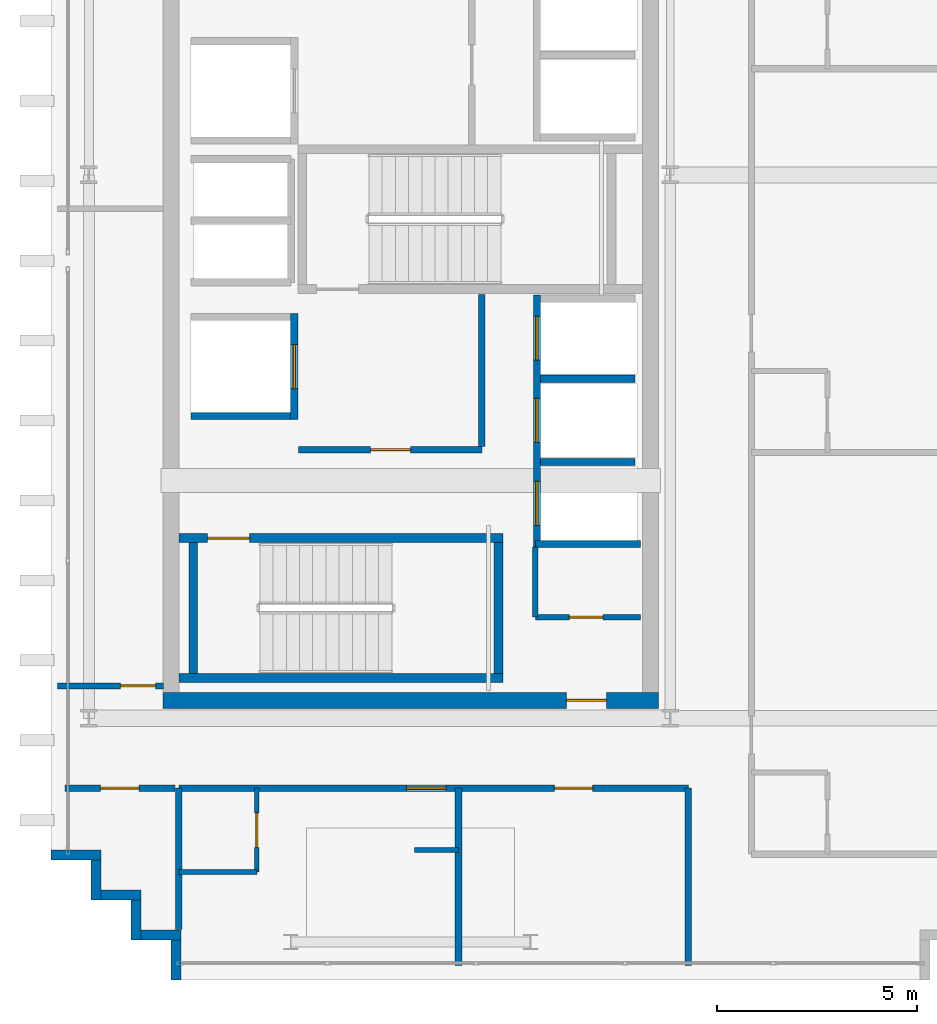
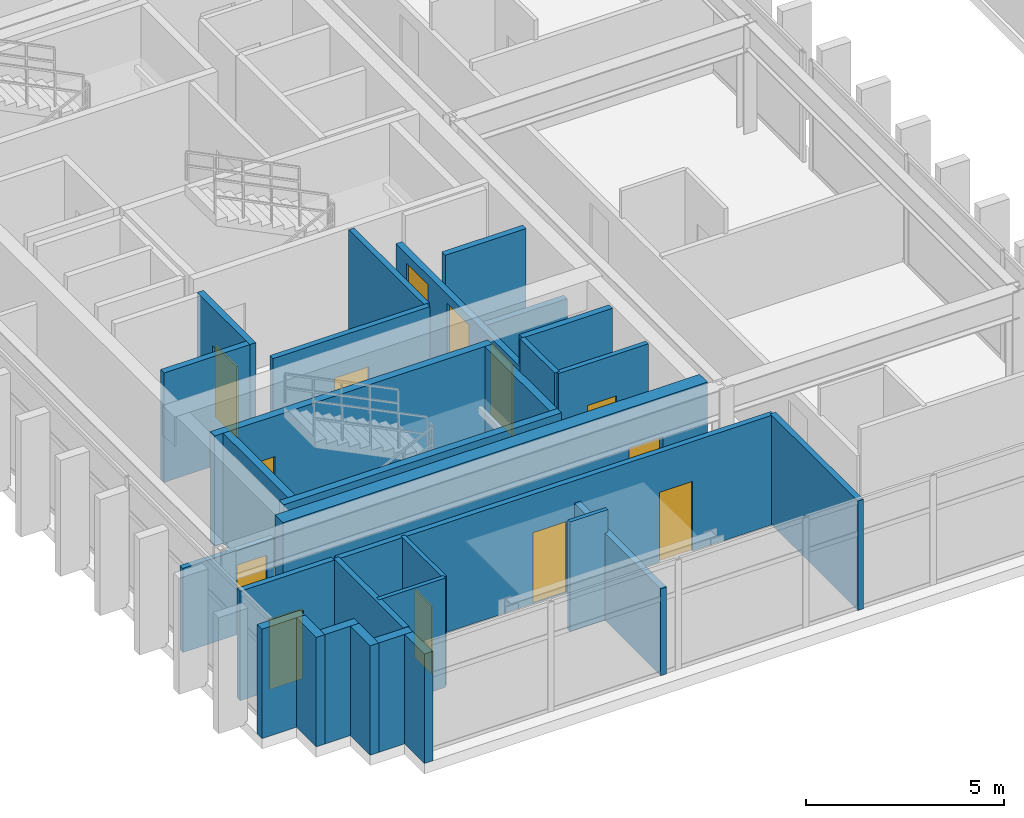
# One storey, part 14 of 17: 30 walls, 13 doors, 13 openings.
"""IFC4 building model written with IfcOpenShell, lengths in metres."""

from ifc_helpers import new_model, si_unit, direction, frame, frame_2d, origin, place, context, subcontext, project, spatial, rectangle, extrude, source, transform, mapped, material, layer, layer_set, type_object, element, fill, save


model = new_model("IFC4")

# Units and contexts
model_context = context("Model", 3, precision=1e-05, world=origin(), true_north=direction((0.0, 1.0)))
body_context = subcontext(model_context, "Body", "Model", "MODEL_VIEW")
ifc_project = project(units=[si_unit("LENGTHUNIT", "METRE"), si_unit("AREAUNIT", "SQUARE_METRE"), si_unit("VOLUMEUNIT", "CUBIC_METRE"), si_unit("PLANEANGLEUNIT", "RADIAN"), si_unit("MASSUNIT", "GRAM", prefix="KILO")], contexts=[model_context])

# Site, building, storey
site_placement = place(None, origin())
site = spatial("IfcSite", under=ifc_project, at=site_placement, CompositionType="ELEMENT")
building_placement = place(site_placement, origin())
building = spatial("IfcBuilding", under=site, at=building_placement, Name="Ocotamira Hotel", CompositionType="ELEMENT")
storey_placement = place(building_placement, frame((0.0, 0.0, 272.39990234375)))
storey = spatial("IfcBuildingStorey", under=building, at=storey_placement, Name="L69", CompositionType="ELEMENT", Elevation=272.39990234375)

# Wall, opening, door
ifc_material_1 = material(Name="Concrete C50/60", Category="concrete")
ifc_layer_1 = layer(ifc_material_1, 0.39990234375)
ifc_layer_set_1 = layer_set([ifc_layer_1], Name="Concrete C50/60")
wall_type_1 = type_object("IfcWallType", Name="WL-CORE-400", PredefinedType="SHEAR", material=ifc_layer_set_1)
wall_1_placement = place(storey_placement, frame((10.800048828125, 15.0, 0.0), z_axis=(0.0, 0.0, 1.0), x_axis=(1.0, 0.0, 0.0)))
wall_1 = element("IfcWall", 1, at=wall_1_placement, inside=storey, type_object=wall_type_1, Name="L69 Shear Core Wall WCORE-S", PredefinedType="SHEAR", context=body_context, shape_type="SweptSolid", body=[
    extrude(rectangle(XDim=12.39990234375, YDim=0.39990234375, at=frame_2d((6.199951171875, 0.0))), origin(), (0.0, 0.0, 1.0), 3.380126953125),
])
opening_1_placement = place(wall_1_placement, frame((10.10009765625, 0.0, 0.0)))
opening_1 = element("IfcOpeningElement", 2, at=opening_1_placement, cuts=wall_1, Name="Opening D-FR2", PredefinedType="OPENING", context=body_context, shape_type="SweptSolid", body=[
    extrude(rectangle(XDim=1.0, YDim=2.14990234375, at=frame_2d((0.5, 1.074951171875))), frame((0.0, 0.2099609375, 0.0), z_axis=(0.0, -1.0, 0.0), x_axis=(1.0, 0.0, 0.0)), (0.0, 0.0, 1.0), 0.419921875),
])
ifc_material_2 = material(Name="Fire-rated acoustic timber-veneer door", Category="wood")
door_type_1 = type_object("IfcDoorType", Name="DR-FIRE-1000", OperationType="NOTDEFINED", PredefinedType="DOOR", material=ifc_material_2)
shared_shape_1 = source(origin(), body_context, "Body", "SweptSolid", [
    extrude(rectangle(XDim=1.0, YDim=2.14990234375, at=frame_2d((0.5, 1.074951171875))), frame((0.0, 0.02490234375, 0.0), z_axis=(0.0, -1.0, 0.0), x_axis=(1.0, 0.0, 0.0)), (0.0, 0.0, 1.0), 0.050048828125),
])
door_1_placement = place(opening_1_placement, origin())
door_1 = element("IfcDoor", 3, at=door_1_placement, inside=storey, type_object=door_type_1, Name="L69 Door ID-L69-WLOB-S-D [ID-L69-WLOB-S-D]", OperationType="SINGLE_SWING_LEFT", OverallHeight=2.14990234375, OverallWidth=1.0, PredefinedType="DOOR", context=body_context, shape_type="MappedRepresentation", body=[
    mapped(shared_shape_1, transform((0.0, 0.0, 0.0), scale=1.0)),
])
fill(opening_1, door_1)

# Walls
ifc_material_3 = material(Name="Precast concrete C45/55", Category="concrete")
ifc_layer_2 = layer(ifc_material_3, 0.25)
ifc_layer_set_2 = layer_set([ifc_layer_2], Name="Precast concrete C45/55")
wall_type_2 = type_object("IfcWallType", Name="WL-EXT-SER-250", PredefinedType="SOLIDWALL", material=ifc_layer_set_2)
wall_2_placement = place(storey_placement, frame((8.0, 11.125, 0.0), z_axis=(0.0, 0.0, 1.0), x_axis=(1.0, 0.0, 0.0)))
element("IfcWall", 4, at=wall_2_placement, inside=storey, type_object=wall_type_2, Name="L69 Serrated Corner Wall 19", PredefinedType="SOLIDWALL", context=body_context, shape_type="SweptSolid", body=[
    extrude(rectangle(XDim=1.25, YDim=0.25, at=frame_2d((0.625, 0.0))), origin(), (0.0, 0.0, 1.0), 3.380126953125),
])
for number, where, z_axis, x_axis, name in (
    (5, (9.125, 11.0, 0.0), (0.0, 0.0, 1.0), (0.0, -1.0, 0.0), "L69 Serrated Corner Wall 20"),
    (6, (9.25, 10.125, 0.0), (0.0, 0.0, 1.0), (1.0, 0.0, 0.0), "L69 Serrated Corner Wall 21"),
    (7, (10.125, 10.0, 0.0), (0.0, 0.0, 1.0), (0.0, -1.0, 0.0), "L69 Serrated Corner Wall 22"),
    (8, (10.25, 9.125, 0.0), (0.0, 0.0, 1.0), (1.0, 0.0, 0.0), "L69 Serrated Corner Wall 23"),
    (9, (11.125, 9.0, 0.0), (0.0, 0.0, 1.0), (0.0, -1.0, 0.0), "L69 Serrated Corner Wall 24"),
):
    element("IfcWall", number, at=place(storey_placement, frame(where, z_axis=z_axis, x_axis=x_axis)), inside=storey, type_object=wall_type_2, Name=name, PredefinedType="SOLIDWALL", context=body_context, shape_type="SweptSolid", body=[
        extrude(rectangle(XDim=1.0, YDim=0.25, at=frame_2d((0.5, 0.0))), origin(), (0.0, 0.0, 1.0), 3.380126953125),
    ])

# Wall, opening, door
ifc_material_4 = material(Name="Acoustic double-layer fire gypsum board partition", Category="gypsum")
ifc_layer_3 = layer(ifc_material_4, 0.159912109375)
ifc_layer_set_3 = layer_set([ifc_layer_3], Name="Acoustic double-layer fire gypsum board partition")
wall_type_3 = type_object("IfcWallType", Name="WL-FIRE-160", PredefinedType="PARTITIONING", material=ifc_layer_set_3)
wall_3_placement = place(storey_placement, frame((14.199951171875, 21.27001953125, 0.0), z_axis=(0.0, 0.0, 1.0), x_axis=(1.0, 0.0, 0.0)))
wall_3 = element("IfcWall", 10, at=wall_3_placement, inside=storey, type_object=wall_type_3, Name="L69 Interior Wall PW-L69-FSAE1-S", PredefinedType="PARTITIONING", context=body_context, shape_type="SweptSolid", body=[
    extrude(rectangle(XDim=4.580078125, YDim=0.159912109375, at=frame_2d((2.2900390625, 0.0))), origin(), (0.0, 0.0, 1.0), 3.380126953125),
])
opening_2_placement = place(wall_3_placement, frame((1.800048828125, 0.0, 0.0)))
opening_2 = element("IfcOpeningElement", 11, at=opening_2_placement, cuts=wall_3, Name="Opening D-FR2", PredefinedType="OPENING", context=body_context, shape_type="SweptSolid", body=[
    extrude(rectangle(XDim=1.0, YDim=2.14990234375, at=frame_2d((0.5, 1.074951171875))), frame((0.0, 0.08984375, 0.0), z_axis=(0.0, -1.0, 0.0), x_axis=(1.0, 0.0, 0.0)), (0.0, 0.0, 1.0), 0.179931640625),
])
door_2_placement = place(opening_2_placement, origin())
door_2 = element("IfcDoor", 12, at=door_2_placement, inside=storey, type_object=door_type_1, Name="L69 Door ID-L69-FSAE1-D [ID-L69-FSAE1-D]", OperationType="SINGLE_SWING_LEFT", OverallHeight=2.14990234375, OverallWidth=1.0, PredefinedType="DOOR", context=body_context, shape_type="MappedRepresentation", body=[
    mapped(shared_shape_1, transform((0.0, 0.0, 0.0), scale=1.0)),
])
fill(opening_2, door_2)

# Wall
wall_4_placement = place(storey_placement, frame((18.780029296875, 21.35009765625, 0.0), z_axis=(0.0, 0.0, 1.0), x_axis=(0.0, 1.0, 0.0)))
element("IfcWall", 13, at=wall_4_placement, inside=storey, type_object=wall_type_3, Name="L69 Interior Wall PW-L69-FSAE1-E", PredefinedType="PARTITIONING", context=body_context, shape_type="SweptSolid", body=[
    extrude(rectangle(XDim=3.809814453125, YDim=0.159912109375, at=frame_2d((1.90478515625, 0.0))), origin(), (0.0, 0.0, 1.0), 3.380126953125),
])

# Wall, openings, doors
wall_5_placement = place(storey_placement, frame((11.199951171875, 12.800048828125, 0.0), z_axis=(0.0, 0.0, 1.0), x_axis=(1.0, 0.0, 0.0)))
wall_5 = element("IfcWall", 14, at=wall_5_placement, inside=storey, type_object=wall_type_3, Name="L69 Interior Wall PW-L69-WP0S-CORRW", PredefinedType="PARTITIONING", context=body_context, shape_type="SweptSolid", body=[
    extrude(rectangle(XDim=12.75, YDim=0.159912109375, at=frame_2d((6.375, 0.0))), origin(), (0.0, 0.0, 1.0), 3.380126953125),
])
opening_3_placement = place(wall_5_placement, frame((5.699951171875, 0.0, 0.0)))
opening_3 = element("IfcOpeningElement", 15, at=opening_3_placement, cuts=wall_5, Name="Opening D-GR2", PredefinedType="OPENING", context=body_context, shape_type="SweptSolid", body=[
    extrude(rectangle(XDim=0.97998046875, YDim=2.199951171875, at=frame_2d((0.489990234375, 1.10009765625))), frame((0.0, 0.08984375, 0.0), z_axis=(0.0, -1.0, 0.0), x_axis=(1.0, 0.0, 0.0)), (0.0, 0.0, 1.0), 0.179931640625),
])
opening_4_placement = place(wall_5_placement, frame((9.39501953125, 0.0, 0.0)))
opening_4 = element("IfcOpeningElement", 16, at=opening_4_placement, cuts=wall_5, Name="Opening D-SV4", PredefinedType="OPENING", context=body_context, shape_type="SweptSolid", body=[
    extrude(rectangle(XDim=0.9599609375, YDim=2.14990234375, at=frame_2d((0.47998046875, 1.074951171875))), frame((0.0, 0.08984375, 0.0), z_axis=(0.0, -1.0, 0.0), x_axis=(1.0, 0.0, 0.0)), (0.0, 0.0, 1.0), 0.179931640625),
])
ifc_material_5 = material(Name="Fire-rated accessible walnut salon door", Category="wood")
door_type_2 = type_object("IfcDoorType", Name="DR-SERV-960", OperationType="NOTDEFINED", PredefinedType="DOOR", material=ifc_material_5)
shared_shape_2 = source(origin(), body_context, "Body", "SweptSolid", [
    extrude(rectangle(XDim=0.9599609375, YDim=2.14990234375, at=frame_2d((0.47998046875, 1.074951171875))), frame((0.0, 0.02490234375, 0.0), z_axis=(0.0, -1.0, 0.0), x_axis=(1.0, 0.0, 0.0)), (0.0, 0.0, 1.0), 0.050048828125),
])
door_3_placement = place(opening_4_placement, origin())
door_3 = element("IfcDoor", 17, at=door_3_placement, inside=storey, type_object=door_type_2, Name="L69 Door ID-L69-WP0S-AMD2 [ID-L69-WP0S-AMD2]", OperationType="SINGLE_SWING_RIGHT", OverallHeight=2.14990234375, OverallWidth=0.9599609375, PredefinedType="DOOR", context=body_context, shape_type="MappedRepresentation", body=[
    mapped(shared_shape_2, transform((0.0, 0.0, 0.0), scale=1.0)),
])
fill(opening_4, door_3)
ifc_material_6 = material(Name="Solid-core walnut grand-suite entrance fire door", Category="wood")
door_type_3 = type_object("IfcDoorType", Name="DR-GUEST-980", OperationType="NOTDEFINED", PredefinedType="DOOR", material=ifc_material_6)
shared_shape_3 = source(origin(), body_context, "Body", "SweptSolid", [
    extrude(rectangle(XDim=0.97998046875, YDim=2.199951171875, at=frame_2d((0.489990234375, 1.10009765625))), frame((0.0, 0.02490234375, 0.0), z_axis=(0.0, -1.0, 0.0), x_axis=(1.0, 0.0, 0.0)), (0.0, 0.0, 1.0), 0.050048828125),
])
door_4_placement = place(opening_3_placement, origin())
door_4 = element("IfcDoor", 18, at=door_4_placement, inside=storey, type_object=door_type_3, Name="L69 Door ID-L69-WP0S-RMD1 [ID-L69-WP0S-RMD1]", OperationType="SINGLE_SWING_LEFT", OverallHeight=2.199951171875, OverallWidth=0.97998046875, PredefinedType="DOOR", context=body_context, shape_type="MappedRepresentation", body=[
    mapped(shared_shape_3, transform((0.0, 0.0, 0.0), scale=1.0)),
])
fill(opening_3, door_4)

# Wall, opening, door
wall_6_placement = place(storey_placement, frame((8.35009765625, 12.800048828125, 0.0), z_axis=(0.0, 0.0, 1.0), x_axis=(1.0, 0.0, 0.0)))
wall_6 = element("IfcWall", 19, at=wall_6_placement, inside=storey, type_object=wall_type_3, Name="L69 Interior Wall PW-L69-WPCSW0-CW", PredefinedType="PARTITIONING", context=body_context, shape_type="SweptSolid", body=[
    extrude(rectangle(XDim=2.75, YDim=0.159912109375, at=frame_2d((1.375, 0.0))), origin(), (0.0, 0.0, 1.0), 3.380126953125),
])
opening_5_placement = place(wall_6_placement, frame((0.89501953125, 0.0, 0.0)))
opening_5 = element("IfcOpeningElement", 20, at=opening_5_placement, cuts=wall_6, Name="Opening D-SV4", PredefinedType="OPENING", context=body_context, shape_type="SweptSolid", body=[
    extrude(rectangle(XDim=0.9599609375, YDim=2.14990234375, at=frame_2d((0.47998046875, 1.074951171875))), frame((0.0, 0.08984375, 0.0), z_axis=(0.0, -1.0, 0.0), x_axis=(1.0, 0.0, 0.0)), (0.0, 0.0, 1.0), 0.179931640625),
])
door_5_placement = place(opening_5_placement, origin())
door_5 = element("IfcDoor", 21, at=door_5_placement, inside=storey, type_object=door_type_2, Name="L69 Door ID-L69-WPCSW0-CD [ID-L69-WPCSW0-CD]", OperationType="SINGLE_SWING_LEFT", OverallHeight=2.14990234375, OverallWidth=0.9599609375, PredefinedType="DOOR", context=body_context, shape_type="MappedRepresentation", body=[
    mapped(shared_shape_2, transform((0.0, 0.0, 0.0), scale=1.0)),
])
fill(opening_5, door_5)

ifc_material_7 = material(Name="Moisture-resistant en-suite tile and gypsum partition", Category="gypsum")
ifc_layer_4 = layer(ifc_material_7, 0.1201171875)
ifc_layer_set_4 = layer_set([ifc_layer_4], Name="Moisture-resistant en-suite tile and gypsum partition")
wall_type_4 = type_object("IfcWallType", Name="WL-PART-120", PredefinedType="PARTITIONING", material=ifc_layer_set_4)
wall_7_placement = place(storey_placement, frame((13.14990234375, 10.699951171875, 0.0), z_axis=(0.0, 0.0, 1.0), x_axis=(0.0, 1.0, 0.0)))
wall_7 = element("IfcWall", 22, at=wall_7_placement, inside=storey, type_object=wall_type_4, Name="L69 Interior Wall PW-L69-WP0S-BAE1", PredefinedType="PARTITIONING", context=body_context, shape_type="SweptSolid", body=[
    extrude(rectangle(XDim=2.10009765625, YDim=0.1201171875, at=frame_2d((1.050048828125, 0.0))), origin(), (0.0, 0.0, 1.0), 3.380126953125),
])
opening_6_placement = place(wall_7_placement, frame((0.6201171875, 0.0, 0.0)))
opening_6 = element("IfcOpeningElement", 23, at=opening_6_placement, cuts=wall_7, Name="Opening D-BA1", PredefinedType="OPENING", context=body_context, shape_type="SweptSolid", body=[
    extrude(rectangle(XDim=0.860107421875, YDim=2.10009765625, at=frame_2d((0.43017578125, 1.050048828125))), frame((0.0, 0.070068359375, 0.0), z_axis=(0.0, -1.0, 0.0), x_axis=(1.0, 0.0, 0.0)), (0.0, 0.0, 1.0), 0.14013671875),
])
ifc_material_8 = material(Name="Moisture-sealed en-suite timber door", Category="wood")
door_type_4 = type_object("IfcDoorType", Name="DR-BATH-860", OperationType="NOTDEFINED", PredefinedType="DOOR", material=ifc_material_8)
shared_shape_4 = source(origin(), body_context, "Body", "SweptSolid", [
    extrude(rectangle(XDim=0.860107421875, YDim=2.10009765625, at=frame_2d((0.43017578125, 1.050048828125))), frame((0.0, 0.02490234375, 0.0), z_axis=(0.0, -1.0, 0.0), x_axis=(1.0, 0.0, 0.0)), (0.0, 0.0, 1.0), 0.050048828125),
])
door_6_placement = place(opening_6_placement, origin())
door_6 = element("IfcDoor", 24, at=door_6_placement, inside=storey, type_object=door_type_4, Name="L69 Door ID-L69-WP0S-BAD1 [ID-L69-WP0S-BAD1]", OperationType="SINGLE_SWING_RIGHT", OverallHeight=2.10009765625, OverallWidth=0.860107421875, PredefinedType="DOOR", context=body_context, shape_type="MappedRepresentation", body=[
    mapped(shared_shape_4, transform((0.0, 0.0, 0.0), scale=1.0)),
])
fill(opening_6, door_6)

# Walls
wall_8_placement = place(storey_placement, frame((11.199951171875, 10.699951171875, 0.0), z_axis=(0.0, 0.0, 1.0), x_axis=(1.0, 0.0, 0.0)))
element("IfcWall", 25, at=wall_8_placement, inside=storey, type_object=wall_type_4, Name="L69 Interior Wall PW-L69-WP0S-BAS1", PredefinedType="PARTITIONING", context=body_context, shape_type="SweptSolid", body=[
    extrude(rectangle(XDim=1.949951171875, YDim=0.1201171875, at=frame_2d((0.97509765625, 0.0))), origin(), (0.0, 0.0, 1.0), 3.380126953125),
])
wall_9_placement = place(storey_placement, frame((17.10009765625, 11.25, 0.0), z_axis=(0.0, 0.0, 1.0), x_axis=(1.0, 0.0, 0.0)))
element("IfcWall", 26, at=wall_9_placement, inside=storey, type_object=wall_type_4, Name="L69 Interior Wall PW-L69-WP0S-DRN1", PredefinedType="PARTITIONING", context=body_context, shape_type="SweptSolid", body=[
    extrude(rectangle(XDim=1.099853515625, YDim=0.1201171875, at=frame_2d((0.5498046875, 0.0))), origin(), (0.0, 0.0, 1.0), 3.380126953125),
])
ifc_material_9 = material(Name="Acoustic hospitality gypsum board partition", Category="gypsum")
ifc_layer_5 = layer(ifc_material_9, 0.14208984375)
ifc_layer_set_5 = layer_set([ifc_layer_5], Name="Acoustic hospitality gypsum board partition")
wall_type_5 = type_object("IfcWallType", Name="WL-PART-142", PredefinedType="PARTITIONING", material=ifc_layer_set_5)
wall_10_placement = place(storey_placement, frame((20.1201171875, 17.080078125, 0.0), z_axis=(0.0, 0.0, 1.0), x_axis=(0.0, 1.0, 0.0)))
element("IfcWall", 27, at=wall_10_placement, inside=storey, type_object=wall_type_5, Name="L69 Interior Wall PW-L69-WC-SE-W2", PredefinedType="PARTITIONING", context=body_context, shape_type="SweptSolid", body=[
    extrude(rectangle(XDim=1.760009765625, YDim=0.14208984375, at=frame_2d((0.8798828125, 0.0))), origin(), (0.0, 0.0, 1.0), 3.380126953125),
])

# Wall, opening, door
wall_11_placement = place(storey_placement, frame((20.1201171875, 17.080078125, 0.0), z_axis=(0.0, 0.0, 1.0), x_axis=(1.0, 0.0, 0.0)))
wall_11 = element("IfcWall", 28, at=wall_11_placement, inside=storey, type_object=wall_type_5, Name="L69 Interior Wall PW-L69-WC-SE-S2", PredefinedType="PARTITIONING", context=body_context, shape_type="SweptSolid", body=[
    extrude(rectangle(XDim=2.6298828125, YDim=0.14208984375, at=frame_2d((1.31494140625, 0.0))), origin(), (0.0, 0.0, 1.0), 3.380126953125),
])
opening_7_placement = place(wall_11_placement, frame((0.85009765625, 0.0, 0.0)))
opening_7 = element("IfcOpeningElement", 29, at=opening_7_placement, cuts=wall_11, Name="Opening D-SV1", PredefinedType="OPENING", context=body_context, shape_type="SweptSolid", body=[
    extrude(rectangle(XDim=0.840087890625, YDim=2.10009765625, at=frame_2d((0.419921875, 1.050048828125))), frame((0.0, 0.0810546875, 0.0), z_axis=(0.0, -1.0, 0.0), x_axis=(1.0, 0.0, 0.0)), (0.0, 0.0, 1.0), 0.162109375),
])
ifc_material_10 = material(Name="Fire-rated painted steel service door", Category="steel")
door_type_5 = type_object("IfcDoorType", Name="DR-SERV-840", OperationType="NOTDEFINED", PredefinedType="DOOR", material=ifc_material_10)
shared_shape_5 = source(origin(), body_context, "Body", "SweptSolid", [
    extrude(rectangle(XDim=0.840087890625, YDim=2.10009765625, at=frame_2d((0.419921875, 1.050048828125))), frame((0.0, 0.02490234375, 0.0), z_axis=(0.0, -1.0, 0.0), x_axis=(1.0, 0.0, 0.0)), (0.0, 0.0, 1.0), 0.050048828125),
])
door_7_placement = place(opening_7_placement, origin())
door_7 = element("IfcDoor", 30, at=door_7_placement, inside=storey, type_object=door_type_5, Name="L69 Door ID-L69-WC-SE-D2 [ID-L69-WC-SE-D2]", OperationType="SINGLE_SWING_LEFT", OverallHeight=2.10009765625, OverallWidth=0.840087890625, PredefinedType="DOOR", context=body_context, shape_type="MappedRepresentation", body=[
    mapped(shared_shape_5, transform((0.0, 0.0, 0.0), scale=1.0)),
])
fill(opening_7, door_7)

ifc_layer_6 = layer(ifc_material_9, 0.14990234375)
ifc_layer_set_6 = layer_set([ifc_layer_6], Name="Acoustic hospitality gypsum board partition")
wall_type_6 = type_object("IfcWallType", Name="WL-PART-150", PredefinedType="PARTITIONING", material=ifc_layer_set_6)
wall_12_placement = place(storey_placement, frame((8.159912109375, 15.360107421875, 0.0), z_axis=(0.0, 0.0, 1.0), x_axis=(1.0, 0.0, 0.0)))
wall_12 = element("IfcWall", 31, at=wall_12_placement, inside=storey, type_object=wall_type_6, Name="L69 Interior Wall PW-L69-WP0W-WS", PredefinedType="PARTITIONING", context=body_context, shape_type="SweptSolid", body=[
    extrude(rectangle(XDim=2.66015625, YDim=0.14990234375, at=frame_2d((1.330078125, 0.0))), origin(), (0.0, 0.0, 1.0), 2.60107421875),
])
opening_8_placement = place(wall_12_placement, frame((1.580078125, 0.0, 0.0)))
opening_8 = element("IfcOpeningElement", 32, at=opening_8_placement, cuts=wall_12, Name="Opening D-SV2", PredefinedType="OPENING", context=body_context, shape_type="SweptSolid", body=[
    extrude(rectangle(XDim=0.8798828125, YDim=2.14990234375, at=frame_2d((0.43994140625, 1.074951171875))), frame((0.0, 0.0849609375, 0.0), z_axis=(0.0, -1.0, 0.0), x_axis=(1.0, 0.0, 0.0)), (0.0, 0.0, 1.0), 0.169921875),
])
door_type_6 = type_object("IfcDoorType", Name="DR-SERV-880", OperationType="NOTDEFINED", PredefinedType="DOOR", material=ifc_material_10)
shared_shape_6 = source(origin(), body_context, "Body", "SweptSolid", [
    extrude(rectangle(XDim=0.8798828125, YDim=2.14990234375, at=frame_2d((0.43994140625, 1.074951171875))), frame((0.0, 0.02490234375, 0.0), z_axis=(0.0, -1.0, 0.0), x_axis=(1.0, 0.0, 0.0)), (0.0, 0.0, 1.0), 0.050048828125),
])
door_8_placement = place(opening_8_placement, origin())
door_8 = element("IfcDoor", 33, at=door_8_placement, inside=storey, type_object=door_type_6, Name="L69 Door ID-L69-WP0W-DS [ID-L69-WP0W-DS]", OperationType="SINGLE_SWING_LEFT", OverallHeight=2.14990234375, OverallWidth=0.8798828125, PredefinedType="DOOR", context=body_context, shape_type="MappedRepresentation", body=[
    mapped(shared_shape_6, transform((0.0, 0.0, 0.0), scale=1.0)),
])
fill(opening_8, door_8)

# Walls
ifc_material_11 = material(Name="Acoustic double-stud hospitality gypsum partition", Category="gypsum")
ifc_layer_7 = layer(ifc_material_11, 0.159912109375)
ifc_layer_set_7 = layer_set([ifc_layer_7], Name="Acoustic double-stud hospitality gypsum partition")
wall_type_7 = type_object("IfcWallType", Name="WL-PART-160", PredefinedType="PARTITIONING", material=ifc_layer_set_7)
wall_13_placement = place(storey_placement, frame((11.199951171875, 9.260009765625, 0.0), z_axis=(0.0, 0.0, 1.0), x_axis=(0.0, 1.0, 0.0)))
element("IfcWall", 34, at=wall_13_placement, inside=storey, type_object=wall_type_7, Name="L69 Interior Wall PW-L69-WP0S-PW0", PredefinedType="PARTITIONING", context=body_context, shape_type="SweptSolid", body=[
    extrude(rectangle(XDim=3.5400390625, YDim=0.159912109375, at=frame_2d((1.77001953125, 0.0))), origin(), (0.0, 0.0, 1.0), 3.380126953125),
])
wall_14_placement = place(storey_placement, frame((23.949951171875, 8.360107421875, 0.0), z_axis=(0.0, 0.0, 1.0), x_axis=(0.0, 1.0, 0.0)))
element("IfcWall", 35, at=wall_14_placement, inside=storey, type_object=wall_type_7, Name="L69 Interior Wall PW-L69-WP0S-PWEND", PredefinedType="PARTITIONING", context=body_context, shape_type="SweptSolid", body=[
    extrude(rectangle(XDim=4.43994140625, YDim=0.159912109375, at=frame_2d((2.219970703125, 0.0))), origin(), (0.0, 0.0, 1.0), 3.380126953125),
])
ifc_material_12 = material(Name="Double-stud suite party gypsum partition", Category="gypsum")
ifc_layer_8 = layer(ifc_material_12, 0.175048828125)
ifc_layer_set_8 = layer_set([ifc_layer_8], Name="Double-stud suite party gypsum partition")
wall_type_8 = type_object("IfcWallType", Name="WL-PART-175", PredefinedType="PARTITIONING", material=ifc_layer_set_8)
wall_15_placement = place(storey_placement, frame((18.199951171875, 8.360107421875, 0.0), z_axis=(0.0, 0.0, 1.0), x_axis=(0.0, 1.0, 0.0)))
element("IfcWall", 36, at=wall_15_placement, inside=storey, type_object=wall_type_8, Name="L69 Interior Wall PW-L69-WP0S-PW1", PredefinedType="PARTITIONING", context=body_context, shape_type="SweptSolid", body=[
    extrude(rectangle(XDim=4.43994140625, YDim=0.175048828125, at=frame_2d((2.219970703125, 0.0))), origin(), (0.0, 0.0, 1.0), 2.68701171875),
])

# Wall, openings, doors
ifc_material_13 = material(Name="Fire-rated gypsum shaftliner board assembly", Category="gypsum")
ifc_layer_9 = layer(ifc_material_13, 0.179931640625)
ifc_layer_set_9 = layer_set([ifc_layer_9], Name="Fire-rated gypsum shaftliner board assembly")
wall_type_9 = type_object("IfcWallType", Name="WL-SHAFT-180", PredefinedType="SOLIDWALL", material=ifc_layer_set_9)
wall_16_placement = place(storey_placement, frame((20.159912109375, 18.820068359375, 0.0), z_axis=(0.0, 0.0, 1.0), x_axis=(0.0, 1.0, 0.0)))
wall_16 = element("IfcWall", 37, at=wall_16_placement, inside=storey, type_object=wall_type_9, Name="L69 Interior Wall PW-L69-LFW-BANK-high-F", PredefinedType="SOLIDWALL", context=body_context, shape_type="SweptSolid", body=[
    extrude(rectangle(XDim=6.31982421875, YDim=0.179931640625, at=frame_2d((3.159912109375, 0.0))), origin(), (0.0, 0.0, 1.0), 2.47998046875),
])
opening_9_placement = place(wall_16_placement, frame((0.554931640625, 0.0, 0.0)))
opening_9 = element("IfcOpeningElement", 38, at=opening_9_placement, cuts=wall_16, Name="Opening LD-LF-P7", PredefinedType="OPENING", context=body_context, shape_type="SweptSolid", body=[
    extrude(rectangle(XDim=1.10009765625, YDim=2.199951171875, at=frame_2d((0.550048828125, 1.10009765625))), frame((0.0, 0.10009765625, 0.0), z_axis=(0.0, -1.0, 0.0), x_axis=(1.0, 0.0, 0.0)), (0.0, 0.0, 1.0), 0.199951171875),
])
opening_10_placement = place(wall_16_placement, frame((2.635009765625, 0.0, 0.0)))
opening_10 = element("IfcOpeningElement", 39, at=opening_10_placement, cuts=wall_16, Name="Opening LD-LF-P8", PredefinedType="OPENING", context=body_context, shape_type="SweptSolid", body=[
    extrude(rectangle(XDim=1.10009765625, YDim=2.199951171875, at=frame_2d((0.550048828125, 1.10009765625))), frame((0.0, 0.10009765625, 0.0), z_axis=(0.0, -1.0, 0.0), x_axis=(1.0, 0.0, 0.0)), (0.0, 0.0, 1.0), 0.199951171875),
])
opening_11_placement = place(wall_16_placement, frame((4.68994140625, 0.0, 0.0)))
opening_11 = element("IfcOpeningElement", 40, at=opening_11_placement, cuts=wall_16, Name="Opening LD-LF-P9", PredefinedType="OPENING", context=body_context, shape_type="SweptSolid", body=[
    extrude(rectangle(XDim=1.10009765625, YDim=2.199951171875, at=frame_2d((0.550048828125, 1.10009765625))), frame((0.0, 0.10009765625, 0.0), z_axis=(0.0, -1.0, 0.0), x_axis=(1.0, 0.0, 0.0)), (0.0, 0.0, 1.0), 0.199951171875),
])
ifc_material_14 = material(Name="Brushed pale-metal stainless elevator landing door", Category="steel")
door_type_7 = type_object("IfcDoorType", Name="DR-LIFT-1100", OperationType="NOTDEFINED", PredefinedType="DOOR", material=ifc_material_14)
shared_shape_7 = source(origin(), body_context, "Body", "SweptSolid", [
    extrude(rectangle(XDim=1.10009765625, YDim=2.199951171875, at=frame_2d((0.550048828125, 1.10009765625))), frame((0.0, 0.02490234375, 0.0), z_axis=(0.0, -1.0, 0.0), x_axis=(1.0, 0.0, 0.0)), (0.0, 0.0, 1.0), 0.050048828125),
])
door_9_placement = place(opening_9_placement, origin())
door_9 = element("IfcDoor", 41, at=door_9_placement, inside=storey, type_object=door_type_7, Name="L69 Landing Door LD-LF-P7 [ID-L69-LD-LF-P7]", OperationType="DOUBLE_DOOR_SLIDING", OverallHeight=2.199951171875, OverallWidth=1.10009765625, PredefinedType="DOOR", context=body_context, shape_type="MappedRepresentation", body=[
    mapped(shared_shape_7, transform((0.0, 0.0, 0.0), scale=1.0)),
])
fill(opening_9, door_9)
door_10_placement = place(opening_10_placement, origin())
door_10 = element("IfcDoor", 42, at=door_10_placement, inside=storey, type_object=door_type_7, Name="L69 Landing Door LD-LF-P8 [ID-L69-LD-LF-P8]", OperationType="DOUBLE_DOOR_SLIDING", OverallHeight=2.199951171875, OverallWidth=1.10009765625, PredefinedType="DOOR", context=body_context, shape_type="MappedRepresentation", body=[
    mapped(shared_shape_7, transform((0.0, 0.0, 0.0), scale=1.0)),
])
fill(opening_10, door_10)
door_11_placement = place(opening_11_placement, origin())
door_11 = element("IfcDoor", 43, at=door_11_placement, inside=storey, type_object=door_type_7, Name="L69 Landing Door LD-LF-P9 [ID-L69-LD-LF-P9]", OperationType="DOUBLE_DOOR_SLIDING", OverallHeight=2.199951171875, OverallWidth=1.10009765625, PredefinedType="DOOR", context=body_context, shape_type="MappedRepresentation", body=[
    mapped(shared_shape_7, transform((0.0, 0.0, 0.0), scale=1.0)),
])
fill(opening_11, door_11)

# Walls
wall_17_placement = place(storey_placement, frame((20.1201171875, 18.909912109375, 0.0), z_axis=(0.0, 0.0, 1.0), x_axis=(1.0, 0.0, 0.0)))
element("IfcWall", 44, at=wall_17_placement, inside=storey, type_object=wall_type_9, Name="L69 Interior Wall PW-L69-LFW-BANK-high-S", PredefinedType="SOLIDWALL", context=body_context, shape_type="SweptSolid", body=[
    extrude(rectangle(XDim=2.6298828125, YDim=0.179931640625, at=frame_2d((1.31494140625, 0.0))), origin(), (0.0, 0.0, 1.0), 3.380126953125),
])
wall_18_placement = place(storey_placement, frame((20.25, 20.965087890625, 0.0), z_axis=(0.0, 0.0, 1.0), x_axis=(1.0, 0.0, 0.0)))
element("IfcWall", 45, at=wall_18_placement, inside=storey, type_object=wall_type_9, Name="L69 Interior Wall PW-L69-LFW-DIV-LF-P7", PredefinedType="SOLIDWALL", context=body_context, shape_type="SweptSolid", body=[
    extrude(rectangle(XDim=2.360107421875, YDim=0.179931640625, at=frame_2d((1.18017578125, 0.0))), origin(), (0.0, 0.0, 1.0), 2.47998046875),
])
wall_19_placement = place(storey_placement, frame((20.25, 23.044921875, 0.0), z_axis=(0.0, 0.0, 1.0), x_axis=(1.0, 0.0, 0.0)))
element("IfcWall", 46, at=wall_19_placement, inside=storey, type_object=wall_type_9, Name="L69 Interior Wall PW-L69-LFW-DIV-LF-P8", PredefinedType="SOLIDWALL", context=body_context, shape_type="SweptSolid", body=[
    extrude(rectangle(XDim=2.360107421875, YDim=0.179931640625, at=frame_2d((1.18017578125, 0.0))), origin(), (0.0, 0.0, 1.0), 3.380126953125),
])
wall_20_placement = place(storey_placement, frame((11.5, 22.110107421875, 0.0), z_axis=(0.0, 0.0, 1.0), x_axis=(1.0, 0.0, 0.0)))
element("IfcWall", 47, at=wall_20_placement, inside=storey, type_object=wall_type_9, Name="L69 Interior Wall PW-L69-LFW-LF-FSAE1-S", PredefinedType="SOLIDWALL", context=body_context, shape_type="SweptSolid", body=[
    extrude(rectangle(XDim=2.5, YDim=0.179931640625, at=frame_2d((1.25, 0.0))), origin(), (0.0, 0.0, 1.0), 3.380126953125),
])

# Wall, opening, door
wall_21_placement = place(storey_placement, frame((14.090087890625, 22.02001953125, 0.0), z_axis=(0.0, 0.0, 1.0), x_axis=(0.0, 1.0, 0.0)))
wall_21 = element("IfcWall", 48, at=wall_21_placement, inside=storey, type_object=wall_type_9, Name="L69 Interior Wall PW-L69-LFW-LF-FSAE1-E", PredefinedType="SOLIDWALL", context=body_context, shape_type="SweptSolid", body=[
    extrude(rectangle(XDim=2.659912109375, YDim=0.179931640625, at=frame_2d((1.330078125, 0.0))), origin(), (0.0, 0.0, 1.0), 3.380126953125),
])
opening_12_placement = place(wall_21_placement, frame((0.780029296875, 0.0, 0.0)))
opening_12 = element("IfcOpeningElement", 49, at=opening_12_placement, cuts=wall_21, Name="Opening LD-LF-FSAE1", PredefinedType="OPENING", context=body_context, shape_type="SweptSolid", body=[
    extrude(rectangle(XDim=1.10009765625, YDim=2.199951171875, at=frame_2d((0.550048828125, 1.10009765625))), frame((0.0, 0.10009765625, 0.0), z_axis=(0.0, -1.0, 0.0), x_axis=(1.0, 0.0, 0.0)), (0.0, 0.0, 1.0), 0.199951171875),
])
door_12_placement = place(opening_12_placement, origin())
door_12 = element("IfcDoor", 50, at=door_12_placement, inside=storey, type_object=door_type_7, Name="L69 Landing Door LD-LF-FSAE1 [ID-L69-LD-LF-FSAE1]", OperationType="DOUBLE_DOOR_SLIDING", OverallHeight=2.199951171875, OverallWidth=1.10009765625, PredefinedType="DOOR", context=body_context, shape_type="MappedRepresentation", body=[
    mapped(shared_shape_7, transform((0.0, 0.0, 0.0), scale=1.0)),
])
fill(opening_12, door_12)

# Wall
ifc_layer_10 = layer(ifc_material_1, 0.219970703125)
ifc_layer_set_10 = layer_set([ifc_layer_10], Name="Concrete C50/60")
wall_type_10 = type_object("IfcWallType", Name="WL-STAIR-220", PredefinedType="SHEAR", material=ifc_layer_set_10)
wall_22_placement = place(storey_placement, frame((11.199951171875, 15.56005859375, 0.0), z_axis=(0.0, 0.0, 1.0), x_axis=(1.0, 0.0, 0.0)))
element("IfcWall", 51, at=wall_22_placement, inside=storey, type_object=wall_type_10, Name="L69 Stair Shaft Structural Wall ST-1-S", PredefinedType="SHEAR", context=body_context, shape_type="SweptSolid", body=[
    extrude(rectangle(XDim=8.110107421875, YDim=0.219970703125, at=frame_2d((4.05517578125, 0.0))), origin(), (0.0, 0.0, 1.0), 3.400146484375),
])

# Wall, opening, door
wall_23_placement = place(storey_placement, frame((11.199951171875, 19.06005859375, 0.0), z_axis=(0.0, 0.0, 1.0), x_axis=(1.0, 0.0, 0.0)))
wall_23 = element("IfcWall", 52, at=wall_23_placement, inside=storey, type_object=wall_type_10, Name="L69 Stair Shaft Structural Wall ST-1-N", PredefinedType="SHEAR", context=body_context, shape_type="SweptSolid", body=[
    extrude(rectangle(XDim=8.110107421875, YDim=0.219970703125, at=frame_2d((4.05517578125, 0.0))), origin(), (0.0, 0.0, 1.0), 3.400146484375),
])
opening_13_placement = place(wall_23_placement, frame((0.719970703125, 0.0, 0.0)))
opening_13 = element("IfcOpeningElement", 53, at=opening_13_placement, cuts=wall_23, Name="Opening D-ST2", PredefinedType="OPENING", context=body_context, shape_type="SweptSolid", body=[
    extrude(rectangle(XDim=1.050048828125, YDim=2.14990234375, at=frame_2d((0.52490234375, 1.074951171875))), frame((0.0, 0.1201171875, 0.0), z_axis=(0.0, -1.0, 0.0), x_axis=(1.0, 0.0, 0.0)), (0.0, 0.0, 1.0), 0.239990234375),
])
ifc_material_15 = material(Name="Insulated painted hollow-metal fire exit door", Category="steel")
door_type_8 = type_object("IfcDoorType", Name="DR-STAIR-1050", OperationType="NOTDEFINED", PredefinedType="DOOR", material=ifc_material_15)
shared_shape_8 = source(origin(), body_context, "Body", "SweptSolid", [
    extrude(rectangle(XDim=1.050048828125, YDim=2.14990234375, at=frame_2d((0.52490234375, 1.074951171875))), frame((0.0, 0.02490234375, 0.0), z_axis=(0.0, -1.0, 0.0), x_axis=(1.0, 0.0, 0.0)), (0.0, 0.0, 1.0), 0.050048828125),
])
door_13_placement = place(opening_13_placement, origin())
door_13 = element("IfcDoor", 54, at=door_13_placement, inside=storey, type_object=door_type_8, Name="L69 Door ID-L69-STD-ST-1 [ID-L69-STD-ST-1]", OperationType="SINGLE_SWING_RIGHT", OverallHeight=2.14990234375, OverallWidth=1.050048828125, PredefinedType="DOOR", context=body_context, shape_type="MappedRepresentation", body=[
    mapped(shared_shape_8, transform((0.0, 0.0, 0.0), scale=1.0)),
])
fill(opening_13, door_13)

# Walls
for number, where, z_axis, x_axis, name in (
    (55, (11.56005859375, 15.669921875, 0.0), (0.0, 0.0, 1.0), (0.0, 1.0, 0.0), "L69 Stair Shaft Structural Wall ST-1-W"),
    (56, (19.199951171875, 15.669921875, 0.0), (0.0, 0.0, 1.0), (0.0, 1.0, 0.0), "L69 Stair Shaft Structural Wall ST-1-E"),
):
    element("IfcWall", number, at=place(storey_placement, frame(where, z_axis=z_axis, x_axis=x_axis)), inside=storey, type_object=wall_type_10, Name=name, PredefinedType="SHEAR", context=body_context, shape_type="SweptSolid", body=[
        extrude(rectangle(XDim=3.280029296875, YDim=0.219970703125, at=frame_2d((1.64013671875, 0.0))), origin(), (0.0, 0.0, 1.0), 3.400146484375),
    ])

save(model, "model.ifc")
